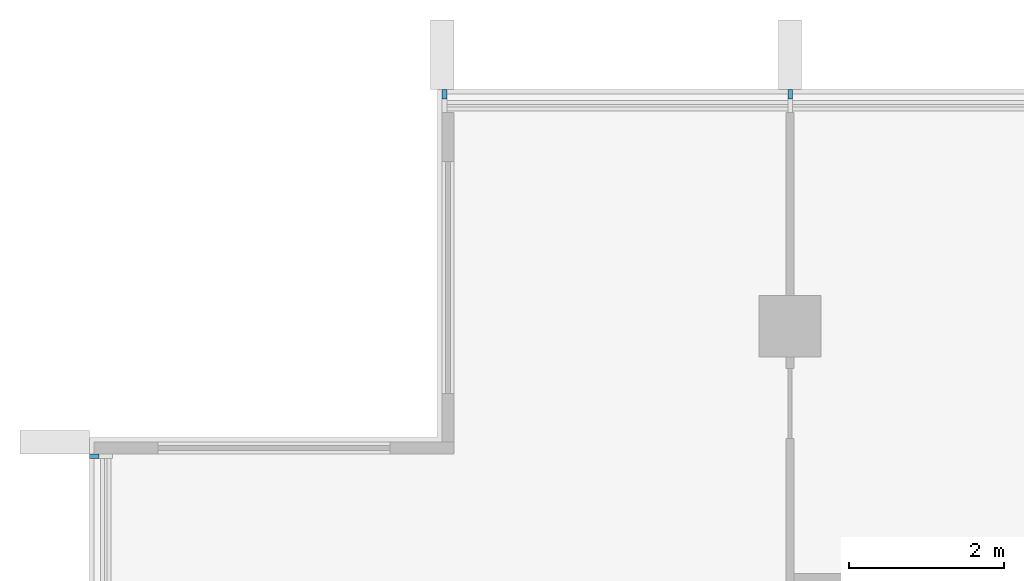
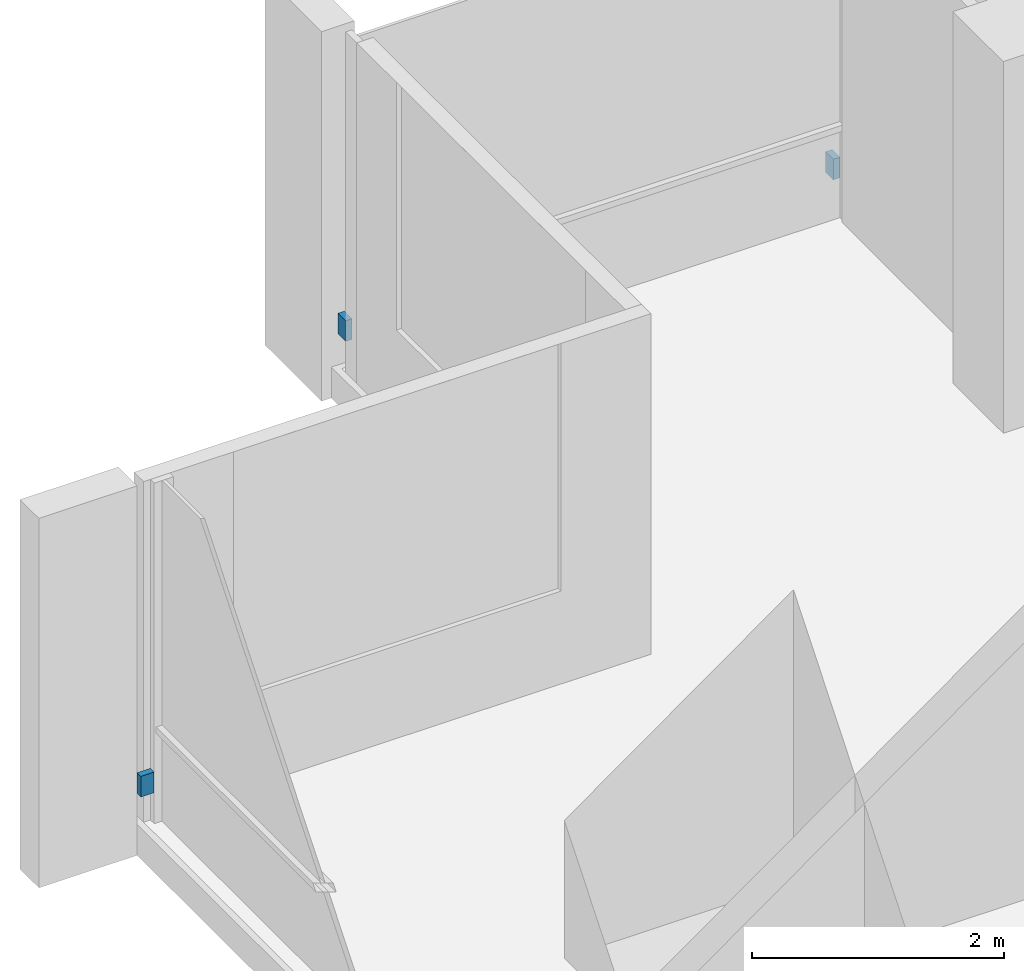
# One storey, part 14 of 16: 3 discrete accessories.
"""IFC4 building model written with IfcOpenShell, lengths in metres."""

from ifc_helpers import new_model, si_unit, direction, frame, origin, origin_2d, place, context, subcontext, project, spatial, rectangle, extrude, material, type_object, element, save


model = new_model("IFC4")

# Units and contexts
model_context = context("Model", 3, precision=1e-05, world=origin(), true_north=direction((0.0, 1.0)))
body_context = subcontext(model_context, "Body", "Model", "MODEL_VIEW")
ifc_project = project(units=[si_unit("LENGTHUNIT", "METRE"), si_unit("AREAUNIT", "SQUARE_METRE"), si_unit("VOLUMEUNIT", "CUBIC_METRE"), si_unit("PLANEANGLEUNIT", "RADIAN"), si_unit("MASSUNIT", "GRAM", prefix="KILO")], contexts=[model_context])

# Site, building, storey
site_placement = place(None, origin())
site = spatial("IfcSite", under=ifc_project, at=site_placement, CompositionType="ELEMENT")
building_placement = place(site_placement, origin())
building = spatial("IfcBuilding", under=site, at=building_placement, Name="Finial Court Residences", CompositionType="ELEMENT")
storey_placement = place(building_placement, frame((0.0, 0.0, 233.89990234375)))
storey = spatial("IfcBuildingStorey", under=building, at=storey_placement, Name="L59", CompositionType="ELEMENT", Elevation=233.89990234375)

# Discrete accessories
ifc_material = material(Name="Stainless steel 316", Category="steel")
discrete_accessory_type = type_object("IfcDiscreteAccessoryType", Name="Fin bracket, stainless steel 60 x 122 x 200", PredefinedType="BRACKET", material=ifc_material)
for number, where, z_axis, x_axis, name in (
    (1, (-14.969970703125, 16.498779296875, 0.30029296875), (0.0, 0.0, 1.0), (1.0, 0.0, 0.0), "E-L59-FIN-N1-BRK"),
    (2, (-10.5, 16.498779296875, 0.30029296875), (0.0, 0.0, 1.0), (1.0, 0.0, 0.0), "E-L59-FIN-N2-BRK"),
):
    element("IfcDiscreteAccessory", number, at=place(storey_placement, frame(where, z_axis=z_axis, x_axis=x_axis)), inside=storey, type_object=discrete_accessory_type, Name=name, PredefinedType="BRACKET", context=body_context, shape_type="SweptSolid", body=[
        extrude(rectangle(XDim=0.06005859375, YDim=0.12255859375, at=origin_2d()), origin(), (0.0, 0.0, 1.0), 0.199951171875),
    ])
discrete_accessory_placement = place(storey_placement, frame((-19.498779296875, 11.820068359375, 0.30029296875), z_axis=(0.0, 0.0, 1.0), x_axis=(1.0, 0.0, 0.0)))
element("IfcDiscreteAccessory", 3, at=discrete_accessory_placement, inside=storey, type_object=discrete_accessory_type, Name="E-L59-FIN-W26-BRK", PredefinedType="BRACKET", context=body_context, shape_type="SweptSolid", body=[
    extrude(rectangle(XDim=0.12255859375, YDim=0.06005859375, at=origin_2d()), origin(), (0.0, 0.0, 1.0), 0.199951171875),
])

save(model, "model.ifc")
